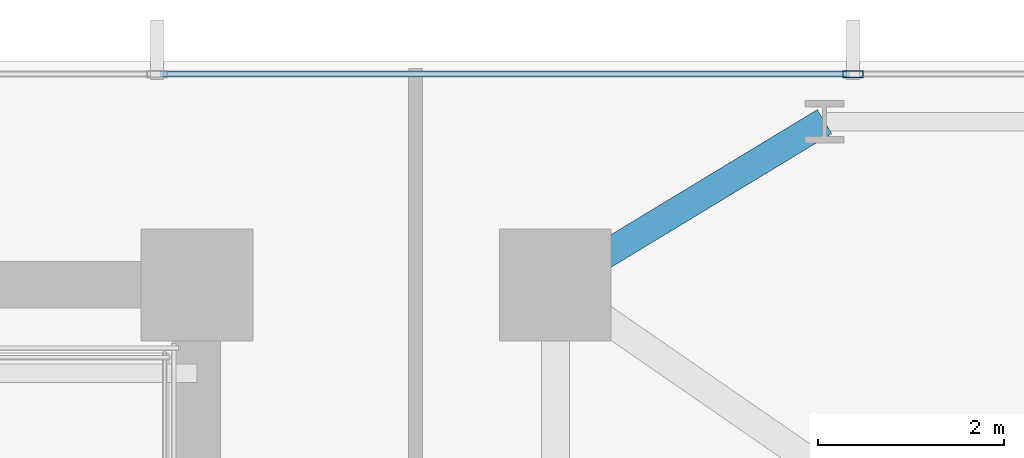
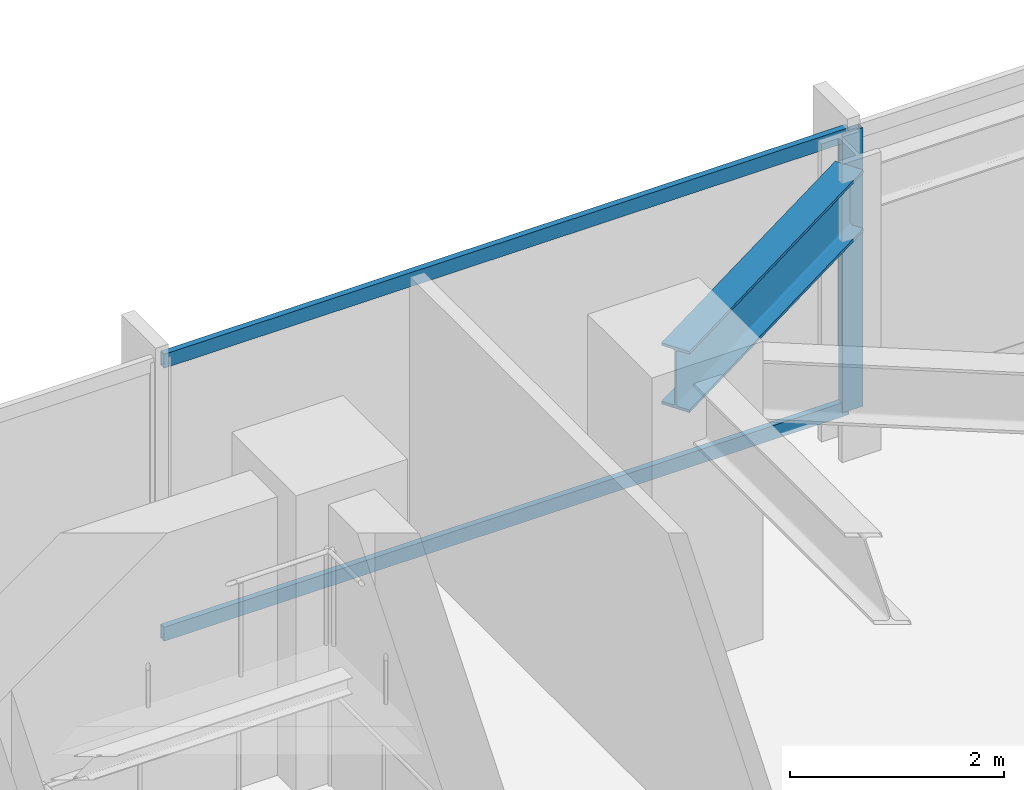
# One storey, part 20 of 33: 3 members, 1 beam, 1 element without a shape of its own.
"""IFC4 building model written with IfcOpenShell, lengths in metres."""

from ifc_helpers import new_model, si_unit, direction, frame, origin, origin_2d, place, context, subcontext, project, spatial, hollow_rectangle, i_section, extrude, material, material_profile, profile_set, type_object, element, aggregate, save


model = new_model("IFC4")

# Units and contexts
model_context = context("Model", 3, precision=1e-05, world=origin(), true_north=direction((0.0, 1.0)))
body_context = subcontext(model_context, "Body", "Model", "MODEL_VIEW")
ifc_project = project(units=[si_unit("LENGTHUNIT", "METRE"), si_unit("AREAUNIT", "SQUARE_METRE"), si_unit("VOLUMEUNIT", "CUBIC_METRE"), si_unit("PLANEANGLEUNIT", "RADIAN"), si_unit("MASSUNIT", "GRAM", prefix="KILO")], contexts=[model_context])

# Site, building, storey
site_placement = place(None, origin())
site = spatial("IfcSite", under=ifc_project, at=site_placement, CompositionType="ELEMENT")
building_placement = place(site_placement, origin())
building = spatial("IfcBuilding", under=site, at=building_placement, Name="Yelkora Congress Tower", CompositionType="ELEMENT")
storey_placement = place(building_placement, frame((0.0, 0.0, 71.199951171875)))
storey = spatial("IfcBuildingStorey", under=building, at=storey_placement, Name="L18", CompositionType="ELEMENT", Elevation=71.199951171875)

# Beam
ifc_material_1 = material(Name="Steel S355J2", Category="steel")
ifc_material_profile_1 = material_profile(ifc_material_1, i_section(OverallWidth=0.300048828125, OverallDepth=0.699951171875, WebThickness=0.01708984375, FlangeThickness=0.031982421875, FilletRadius=0.027099609375, at=origin_2d()), Name="HEB 700")
ifc_profile_set_1 = profile_set([ifc_material_profile_1], Name="Steel S355J2")
beam_type = type_object("IfcBeamType", Name="BM-GIRD-HEB700", PredefinedType="BEAM", material=ifc_profile_set_1)
beam_placement = place(storey_placement, frame((60.487548828125, 47.949951171875, 2.830078125), z_axis=(-0.855193946581, -0.518308126244, 0.0), x_axis=(0.518308126244, -0.855193946581, 0.0)))
element("IfcBeam", 1, at=beam_placement, inside=storey, type_object=beam_type, Name="L18 Primary Frame Girder N08", PredefinedType="BEAM", context=body_context, shape_type="SweptSolid", body=[
    extrude(i_section(OverallWidth=0.300048828125, OverallDepth=0.699951171875, WebThickness=0.01708984375, FlangeThickness=0.031982421875, FilletRadius=0.027099609375, at=origin_2d()), origin(), (0.0, 0.0, 1.0), 3.37646484375),
])

# Curtain wall, members
ifc_material_2 = material(Name="Anodised aluminium and insulated glass", Category="aluminium")
curtain_wall_type = type_object("IfcCurtainWallType", Name="CW-SYS-B1", PredefinedType="NOTDEFINED", material=ifc_material_2)
curtain_wall_placement = place(storey_placement, origin())
curtain_wall = element("IfcCurtainWall", 2, at=curtain_wall_placement, inside=storey, type_object=curtain_wall_type, Name="L18 Unitised Curtain Wall 10", PredefinedType="NOTDEFINED")
ifc_material_3 = material(Name="Anodised aluminium 6063-T6", Category="aluminium")
ifc_material_profile_2 = material_profile(ifc_material_3, hollow_rectangle(XDim=0.074951171875, YDim=0.219970703125, WallThickness=0.0048828125, at=origin_2d()), Name="ALU 75x220x5")
ifc_profile_set_2 = profile_set([ifc_material_profile_2], Name="Anodised aluminium 6063-T6")
member_type_1 = type_object("IfcMemberType", Name="MEM-ML-B1", PredefinedType="MULLION", material=ifc_profile_set_2)
member_1_placement = place(storey_placement, frame((60.794921875, 48.4599609375, 0.0), z_axis=(0.0, 0.0, 1.0), x_axis=(0.0, 1.0, 0.0)))
member_1 = element("IfcMember", 3, at=member_1_placement, type_object=member_type_1, Name="CW-B1 mullion 8", PredefinedType="MULLION", context=body_context, shape_type="SweptSolid", body=[
    extrude(hollow_rectangle(XDim=0.074951171875, YDim=0.219970703125, WallThickness=0.0048828125, at=origin_2d()), origin(), (0.0, 0.0, 1.0), 3.179931640625),
])
ifc_material_profile_3 = material_profile(ifc_material_3, hollow_rectangle(XDim=0.06494140625, YDim=0.159912109375, WallThickness=0.00390625, at=origin_2d()), Name="ALU 65x160x4")
ifc_profile_set_3 = profile_set([ifc_material_profile_3], Name="Anodised aluminium 6063-T6")
member_type_2 = type_object("IfcMemberType", Name="MEM-TR-B1", PredefinedType="USERDEFINED", material=ifc_profile_set_3)
member_2_placement = place(storey_placement, frame((53.367431640625, 48.4599609375, 0.032470703125), z_axis=(1.0, 0.0, 0.0), x_axis=(0.0, 1.0, 0.0)))
member_2 = element("IfcMember", 4, at=member_2_placement, type_object=member_type_2, Name="CW-B1 transom 7.1", ObjectType="TRANSOM", PredefinedType="USERDEFINED", context=body_context, shape_type="SweptSolid", body=[
    extrude(hollow_rectangle(XDim=0.06494140625, YDim=0.159912109375, WallThickness=0.00390625, at=origin_2d()), origin(), (0.0, 0.0, 1.0), 7.39013671875),
])
member_3_placement = place(storey_placement, frame((53.367431640625, 48.4599609375, 3.1474609375), z_axis=(1.0, 0.0, 0.0), x_axis=(0.0, 1.0, 0.0)))
member_3 = element("IfcMember", 5, at=member_3_placement, type_object=member_type_2, Name="CW-B1 transom 7.2", ObjectType="TRANSOM", PredefinedType="USERDEFINED", context=body_context, shape_type="SweptSolid", body=[
    extrude(hollow_rectangle(XDim=0.06494140625, YDim=0.159912109375, WallThickness=0.00390625, at=origin_2d()), origin(), (0.0, 0.0, 1.0), 7.39013671875),
])
aggregate(curtain_wall, [member_1, member_2, member_3])

save(model, "model.ifc")
